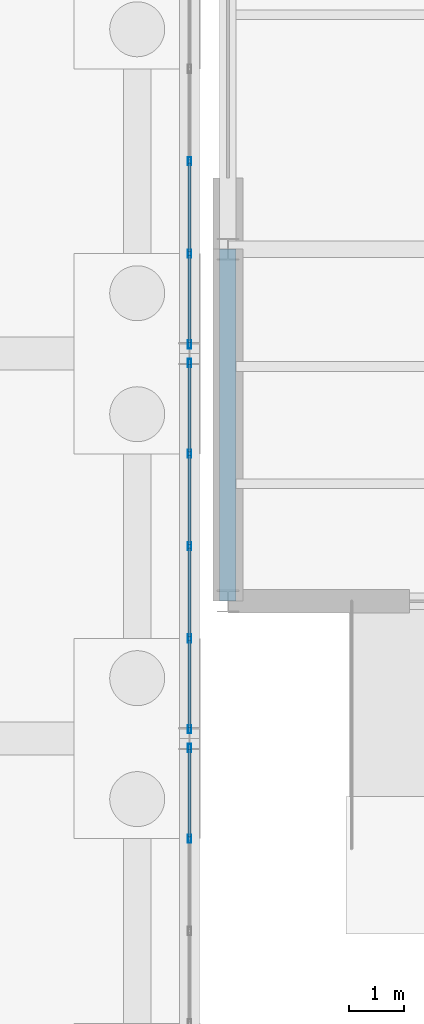
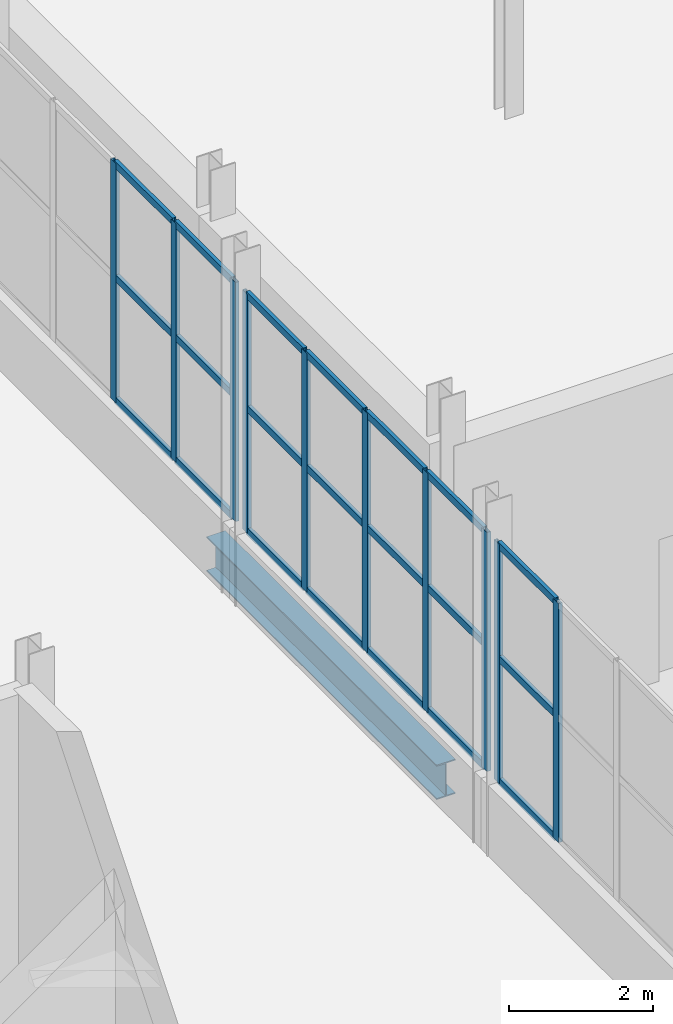
# One storey, part 57 of 139: 31 members, 1 beam, 3 elements without a shape of their own.
"""IFC4 building model written with IfcOpenShell, lengths in metres."""

from ifc_helpers import new_model, si_unit, direction, frame, origin, origin_2d, place, context, subcontext, project, spatial, hollow_rectangle, i_section, extrude, material, material_profile, profile_set, type_object, element, aggregate, save


model = new_model("IFC4")

# Units and contexts
model_context = context("Model", 3, precision=1e-05, world=origin(), true_north=direction((0.0, 1.0)))
body_context = subcontext(model_context, "Body", "Model", "MODEL_VIEW")
ifc_project = project(units=[si_unit("LENGTHUNIT", "METRE"), si_unit("AREAUNIT", "SQUARE_METRE"), si_unit("VOLUMEUNIT", "CUBIC_METRE"), si_unit("PLANEANGLEUNIT", "RADIAN"), si_unit("MASSUNIT", "GRAM", prefix="KILO")], contexts=[model_context])

# Site, building, storey
site_placement = place(None, origin())
site = spatial("IfcSite", under=ifc_project, at=site_placement, CompositionType="ELEMENT")
building_placement = place(site_placement, origin())
building = spatial("IfcBuilding", under=site, at=building_placement, Name="Kazenagashi Tramway Depot", CompositionType="ELEMENT")
storey_placement = place(building_placement, origin())
storey = spatial("IfcBuildingStorey", under=building, at=storey_placement, Name="L01", CompositionType="ELEMENT", Elevation=0.0)

# Curtain wall, members
ifc_material_1 = material(Name="Anodised Aluminium and Low-E Glazing", Category="aluminium")
curtain_wall_type = type_object("IfcCurtainWallType", Name="CW-33", PredefinedType="USERDEFINED", material=ifc_material_1)
curtain_wall_1_placement = place(storey_placement, origin())
curtain_wall_1 = element("IfcCurtainWall", 1, at=curtain_wall_1_placement, inside=storey, type_object=curtain_wall_type, Name="Industrial Glazed Screen CW-33 CW-0182", ObjectType="GLAZED SCREEN", PredefinedType="USERDEFINED")
ifc_material_2 = material(Name="Anodised Aluminium", Category="aluminium")
ifc_material_profile_1 = material_profile(ifc_material_2, hollow_rectangle(XDim=0.06, YDim=0.15, WallThickness=0.004, at=origin_2d()), Name="RHS-150x60x4")
ifc_profile_set_1 = profile_set([ifc_material_profile_1], Name="Anodised Aluminium")
member_type_1 = type_object("IfcMemberType", Name="ML-01", PredefinedType="MULLION", material=ifc_profile_set_1)
member_1_placement = place(storey_placement, frame((44.1, 12.18, 1.2), z_axis=(0.0, 0.0, 1.0), x_axis=(-1.0, 0.0, 0.0)))
member_1 = element("IfcMember", 2, at=member_1_placement, type_object=member_type_1, Name="CW-33 mullion 4", PredefinedType="MULLION", context=body_context, shape_type="SweptSolid", body=[
    extrude(hollow_rectangle(XDim=0.06, YDim=0.15, WallThickness=0.004, at=origin_2d()), origin(), (0.0, 0.0, 1.0), 4.062),
])
member_2_placement = place(storey_placement, frame((44.1, 13.83, 1.2), z_axis=(0.0, 0.0, 1.0), x_axis=(-1.0, 0.0, 0.0)))
member_2 = element("IfcMember", 3, at=member_2_placement, type_object=member_type_1, Name="CW-33 mullion 5", PredefinedType="MULLION", context=body_context, shape_type="SweptSolid", body=[
    extrude(hollow_rectangle(XDim=0.06, YDim=0.15, WallThickness=0.004, at=origin_2d()), origin(), (0.0, 0.0, 1.0), 4.062),
])

curtain_wall_2_placement = place(storey_placement, origin())
curtain_wall_2 = element("IfcCurtainWall", 4, at=curtain_wall_2_placement, inside=storey, type_object=curtain_wall_type, Name="Industrial Glazed Screen CW-33 CW-0184", ObjectType="GLAZED SCREEN", PredefinedType="USERDEFINED")
member_3_placement = place(storey_placement, frame((44.1, 14.17, 1.2), z_axis=(0.0, 0.0, 1.0), x_axis=(-1.0, 0.0, 0.0)))
member_3 = element("IfcMember", 5, at=member_3_placement, type_object=member_type_1, Name="CW-33 mullion 1", PredefinedType="MULLION", context=body_context, shape_type="SweptSolid", body=[
    extrude(hollow_rectangle(XDim=0.06, YDim=0.15, WallThickness=0.004, at=origin_2d()), origin(), (0.0, 0.0, 1.0), 4.062),
])
member_4_placement = place(storey_placement, frame((44.1, 15.82, 1.2), z_axis=(0.0, 0.0, 1.0), x_axis=(-1.0, 0.0, 0.0)))
member_4 = element("IfcMember", 6, at=member_4_placement, type_object=member_type_1, Name="CW-33 mullion 2", PredefinedType="MULLION", context=body_context, shape_type="SweptSolid", body=[
    extrude(hollow_rectangle(XDim=0.06, YDim=0.15, WallThickness=0.004, at=origin_2d()), origin(), (0.0, 0.0, 1.0), 4.062),
])
member_5_placement = place(storey_placement, frame((44.1, 17.5, 1.2), z_axis=(0.0, 0.0, 1.0), x_axis=(-1.0, 0.0, 0.0)))
member_5 = element("IfcMember", 7, at=member_5_placement, type_object=member_type_1, Name="CW-33 mullion 3", PredefinedType="MULLION", context=body_context, shape_type="SweptSolid", body=[
    extrude(hollow_rectangle(XDim=0.06, YDim=0.15, WallThickness=0.004, at=origin_2d()), origin(), (0.0, 0.0, 1.0), 4.062),
])
member_6_placement = place(storey_placement, frame((44.1, 19.18, 1.2), z_axis=(0.0, 0.0, 1.0), x_axis=(-1.0, 0.0, 0.0)))
member_6 = element("IfcMember", 8, at=member_6_placement, type_object=member_type_1, Name="CW-33 mullion 4", PredefinedType="MULLION", context=body_context, shape_type="SweptSolid", body=[
    extrude(hollow_rectangle(XDim=0.06, YDim=0.15, WallThickness=0.004, at=origin_2d()), origin(), (0.0, 0.0, 1.0), 4.062),
])
member_7_placement = place(storey_placement, frame((44.1, 20.83, 1.2), z_axis=(0.0, 0.0, 1.0), x_axis=(-1.0, 0.0, 0.0)))
member_7 = element("IfcMember", 9, at=member_7_placement, type_object=member_type_1, Name="CW-33 mullion 5", PredefinedType="MULLION", context=body_context, shape_type="SweptSolid", body=[
    extrude(hollow_rectangle(XDim=0.06, YDim=0.15, WallThickness=0.004, at=origin_2d()), origin(), (0.0, 0.0, 1.0), 4.062),
])

curtain_wall_3_placement = place(storey_placement, origin())
curtain_wall_3 = element("IfcCurtainWall", 10, at=curtain_wall_3_placement, inside=storey, type_object=curtain_wall_type, Name="Industrial Glazed Screen CW-33 CW-0185", ObjectType="GLAZED SCREEN", PredefinedType="USERDEFINED")
member_8_placement = place(storey_placement, frame((44.1, 21.17, 1.2), z_axis=(0.0, 0.0, 1.0), x_axis=(-1.0, 0.0, 0.0)))
member_8 = element("IfcMember", 11, at=member_8_placement, type_object=member_type_1, Name="CW-33 mullion 1", PredefinedType="MULLION", context=body_context, shape_type="SweptSolid", body=[
    extrude(hollow_rectangle(XDim=0.06, YDim=0.15, WallThickness=0.004, at=origin_2d()), origin(), (0.0, 0.0, 1.0), 4.062),
])
member_9_placement = place(storey_placement, frame((44.1, 22.82, 1.2), z_axis=(0.0, 0.0, 1.0), x_axis=(-1.0, 0.0, 0.0)))
member_9 = element("IfcMember", 12, at=member_9_placement, type_object=member_type_1, Name="CW-33 mullion 2", PredefinedType="MULLION", context=body_context, shape_type="SweptSolid", body=[
    extrude(hollow_rectangle(XDim=0.06, YDim=0.15, WallThickness=0.004, at=origin_2d()), origin(), (0.0, 0.0, 1.0), 4.062),
])
member_10_placement = place(storey_placement, frame((44.1, 24.5, 1.2), z_axis=(0.0, 0.0, 1.0), x_axis=(-1.0, 0.0, 0.0)))
member_10 = element("IfcMember", 13, at=member_10_placement, type_object=member_type_1, Name="CW-33 mullion 3", PredefinedType="MULLION", context=body_context, shape_type="SweptSolid", body=[
    extrude(hollow_rectangle(XDim=0.06, YDim=0.15, WallThickness=0.004, at=origin_2d()), origin(), (0.0, 0.0, 1.0), 4.062),
])

# Beam
ifc_material_3 = material(Name="Steel SN490B", Category="steel")
ifc_material_profile_2 = material_profile(ifc_material_3, i_section(OverallWidth=0.3, OverallDepth=0.588, WebThickness=0.012, FlangeThickness=0.02, at=origin_2d()), Name="H-588x300x12x20")
ifc_profile_set_2 = profile_set([ifc_material_profile_2], Name="Steel SN490B")
beam_type = type_object("IfcBeamType", Name="SP-01", PredefinedType="SPANDREL", material=ifc_profile_set_2)
beam_placement = place(storey_placement, frame((44.8, 16.5, -0.644), z_axis=(0.0, 1.0, 0.0), x_axis=(-1.0, 0.0, 0.0)))
element("IfcBeam", 14, at=beam_placement, inside=storey, type_object=beam_type, Name="Beam SP-01 BM-0801", PredefinedType="SPANDREL", context=body_context, shape_type="SweptSolid", body=[
    extrude(i_section(OverallWidth=0.3, OverallDepth=0.588, WebThickness=0.012, FlangeThickness=0.02, at=origin_2d()), origin(), (0.0, 0.0, 1.0), 6.4),
])

# Member
ifc_material_profile_3 = material_profile(ifc_material_2, hollow_rectangle(XDim=0.06, YDim=0.12, WallThickness=0.004, at=origin_2d()), Name="RHS-120x60x4")
ifc_profile_set_3 = profile_set([ifc_material_profile_3], Name="Anodised Aluminium")
member_type_2 = type_object("IfcMemberType", Name="TR-01", PredefinedType="USERDEFINED", material=ifc_profile_set_3)
member_11_placement = place(storey_placement, frame((44.1, 12.21, 1.23), z_axis=(0.0, 1.0, 0.0), x_axis=(-1.0, 0.0, 0.0)))
member_11 = element("IfcMember", 15, at=member_11_placement, type_object=member_type_2, Name="CW-33 transom 4.1", ObjectType="TRANSOM", PredefinedType="USERDEFINED", context=body_context, shape_type="SweptSolid", body=[
    extrude(hollow_rectangle(XDim=0.06, YDim=0.12, WallThickness=0.004, at=origin_2d()), origin(), (0.0, 0.0, 1.0), 1.59),
])

member_12_placement = place(storey_placement, frame((44.1, 12.21, 3.312), z_axis=(0.0, 1.0, 0.0), x_axis=(-1.0, 0.0, 0.0)))
member_12 = element("IfcMember", 16, at=member_12_placement, type_object=member_type_2, Name="CW-33 transom 4.2", ObjectType="TRANSOM", PredefinedType="USERDEFINED", context=body_context, shape_type="SweptSolid", body=[
    extrude(hollow_rectangle(XDim=0.06, YDim=0.12, WallThickness=0.004, at=origin_2d()), origin(), (0.0, 0.0, 1.0), 1.59),
])

member_13_placement = place(storey_placement, frame((44.1, 12.21, 5.232), z_axis=(0.0, 1.0, 0.0), x_axis=(-1.0, 0.0, 0.0)))
member_13 = element("IfcMember", 17, at=member_13_placement, type_object=member_type_2, Name="CW-33 transom 4.3", ObjectType="TRANSOM", PredefinedType="USERDEFINED", context=body_context, shape_type="SweptSolid", body=[
    extrude(hollow_rectangle(XDim=0.06, YDim=0.12, WallThickness=0.004, at=origin_2d()), origin(), (0.0, 0.0, 1.0), 1.59),
])

aggregate(curtain_wall_1, [member_1, member_2, member_11, member_12, member_13])

member_14_placement = place(storey_placement, frame((44.1, 14.2, 1.23), z_axis=(0.0, 1.0, 0.0), x_axis=(-1.0, 0.0, 0.0)))
member_14 = element("IfcMember", 18, at=member_14_placement, type_object=member_type_2, Name="CW-33 transom 1.1", ObjectType="TRANSOM", PredefinedType="USERDEFINED", context=body_context, shape_type="SweptSolid", body=[
    extrude(hollow_rectangle(XDim=0.06, YDim=0.12, WallThickness=0.004, at=origin_2d()), origin(), (0.0, 0.0, 1.0), 1.59),
])

member_15_placement = place(storey_placement, frame((44.1, 14.2, 3.312), z_axis=(0.0, 1.0, 0.0), x_axis=(-1.0, 0.0, 0.0)))
member_15 = element("IfcMember", 19, at=member_15_placement, type_object=member_type_2, Name="CW-33 transom 1.2", ObjectType="TRANSOM", PredefinedType="USERDEFINED", context=body_context, shape_type="SweptSolid", body=[
    extrude(hollow_rectangle(XDim=0.06, YDim=0.12, WallThickness=0.004, at=origin_2d()), origin(), (0.0, 0.0, 1.0), 1.59),
])

member_16_placement = place(storey_placement, frame((44.1, 14.2, 5.232), z_axis=(0.0, 1.0, 0.0), x_axis=(-1.0, 0.0, 0.0)))
member_16 = element("IfcMember", 20, at=member_16_placement, type_object=member_type_2, Name="CW-33 transom 1.3", ObjectType="TRANSOM", PredefinedType="USERDEFINED", context=body_context, shape_type="SweptSolid", body=[
    extrude(hollow_rectangle(XDim=0.06, YDim=0.12, WallThickness=0.004, at=origin_2d()), origin(), (0.0, 0.0, 1.0), 1.59),
])

member_17_placement = place(storey_placement, frame((44.1, 15.85, 1.23), z_axis=(0.0, 1.0, 0.0), x_axis=(-1.0, 0.0, 0.0)))
member_17 = element("IfcMember", 21, at=member_17_placement, type_object=member_type_2, Name="CW-33 transom 2.1", ObjectType="TRANSOM", PredefinedType="USERDEFINED", context=body_context, shape_type="SweptSolid", body=[
    extrude(hollow_rectangle(XDim=0.06, YDim=0.12, WallThickness=0.004, at=origin_2d()), origin(), (0.0, 0.0, 1.0), 1.62),
])

member_18_placement = place(storey_placement, frame((44.1, 15.85, 3.312), z_axis=(0.0, 1.0, 0.0), x_axis=(-1.0, 0.0, 0.0)))
member_18 = element("IfcMember", 22, at=member_18_placement, type_object=member_type_2, Name="CW-33 transom 2.2", ObjectType="TRANSOM", PredefinedType="USERDEFINED", context=body_context, shape_type="SweptSolid", body=[
    extrude(hollow_rectangle(XDim=0.06, YDim=0.12, WallThickness=0.004, at=origin_2d()), origin(), (0.0, 0.0, 1.0), 1.62),
])

member_19_placement = place(storey_placement, frame((44.1, 15.85, 5.232), z_axis=(0.0, 1.0, 0.0), x_axis=(-1.0, 0.0, 0.0)))
member_19 = element("IfcMember", 23, at=member_19_placement, type_object=member_type_2, Name="CW-33 transom 2.3", ObjectType="TRANSOM", PredefinedType="USERDEFINED", context=body_context, shape_type="SweptSolid", body=[
    extrude(hollow_rectangle(XDim=0.06, YDim=0.12, WallThickness=0.004, at=origin_2d()), origin(), (0.0, 0.0, 1.0), 1.62),
])

member_20_placement = place(storey_placement, frame((44.1, 17.53, 1.23), z_axis=(0.0, 1.0, 0.0), x_axis=(-1.0, 0.0, 0.0)))
member_20 = element("IfcMember", 24, at=member_20_placement, type_object=member_type_2, Name="CW-33 transom 3.1", ObjectType="TRANSOM", PredefinedType="USERDEFINED", context=body_context, shape_type="SweptSolid", body=[
    extrude(hollow_rectangle(XDim=0.06, YDim=0.12, WallThickness=0.004, at=origin_2d()), origin(), (0.0, 0.0, 1.0), 1.62),
])

member_21_placement = place(storey_placement, frame((44.1, 17.53, 3.312), z_axis=(0.0, 1.0, 0.0), x_axis=(-1.0, 0.0, 0.0)))
member_21 = element("IfcMember", 25, at=member_21_placement, type_object=member_type_2, Name="CW-33 transom 3.2", ObjectType="TRANSOM", PredefinedType="USERDEFINED", context=body_context, shape_type="SweptSolid", body=[
    extrude(hollow_rectangle(XDim=0.06, YDim=0.12, WallThickness=0.004, at=origin_2d()), origin(), (0.0, 0.0, 1.0), 1.62),
])

member_22_placement = place(storey_placement, frame((44.1, 17.53, 5.232), z_axis=(0.0, 1.0, 0.0), x_axis=(-1.0, 0.0, 0.0)))
member_22 = element("IfcMember", 26, at=member_22_placement, type_object=member_type_2, Name="CW-33 transom 3.3", ObjectType="TRANSOM", PredefinedType="USERDEFINED", context=body_context, shape_type="SweptSolid", body=[
    extrude(hollow_rectangle(XDim=0.06, YDim=0.12, WallThickness=0.004, at=origin_2d()), origin(), (0.0, 0.0, 1.0), 1.62),
])

member_23_placement = place(storey_placement, frame((44.1, 19.21, 1.23), z_axis=(0.0, 1.0, 0.0), x_axis=(-1.0, 0.0, 0.0)))
member_23 = element("IfcMember", 27, at=member_23_placement, type_object=member_type_2, Name="CW-33 transom 4.1", ObjectType="TRANSOM", PredefinedType="USERDEFINED", context=body_context, shape_type="SweptSolid", body=[
    extrude(hollow_rectangle(XDim=0.06, YDim=0.12, WallThickness=0.004, at=origin_2d()), origin(), (0.0, 0.0, 1.0), 1.59),
])

member_24_placement = place(storey_placement, frame((44.1, 19.21, 3.312), z_axis=(0.0, 1.0, 0.0), x_axis=(-1.0, 0.0, 0.0)))
member_24 = element("IfcMember", 28, at=member_24_placement, type_object=member_type_2, Name="CW-33 transom 4.2", ObjectType="TRANSOM", PredefinedType="USERDEFINED", context=body_context, shape_type="SweptSolid", body=[
    extrude(hollow_rectangle(XDim=0.06, YDim=0.12, WallThickness=0.004, at=origin_2d()), origin(), (0.0, 0.0, 1.0), 1.59),
])

member_25_placement = place(storey_placement, frame((44.1, 19.21, 5.232), z_axis=(0.0, 1.0, 0.0), x_axis=(-1.0, 0.0, 0.0)))
member_25 = element("IfcMember", 29, at=member_25_placement, type_object=member_type_2, Name="CW-33 transom 4.3", ObjectType="TRANSOM", PredefinedType="USERDEFINED", context=body_context, shape_type="SweptSolid", body=[
    extrude(hollow_rectangle(XDim=0.06, YDim=0.12, WallThickness=0.004, at=origin_2d()), origin(), (0.0, 0.0, 1.0), 1.59),
])

aggregate(curtain_wall_2, [member_3, member_4, member_5, member_6, member_7, member_14, member_15, member_16, member_17, member_18, member_19, member_20, member_21, member_22, member_23, member_24, member_25])

member_26_placement = place(storey_placement, frame((44.1, 21.2, 1.23), z_axis=(0.0, 1.0, 0.0), x_axis=(-1.0, 0.0, 0.0)))
member_26 = element("IfcMember", 30, at=member_26_placement, type_object=member_type_2, Name="CW-33 transom 1.1", ObjectType="TRANSOM", PredefinedType="USERDEFINED", context=body_context, shape_type="SweptSolid", body=[
    extrude(hollow_rectangle(XDim=0.06, YDim=0.12, WallThickness=0.004, at=origin_2d()), origin(), (0.0, 0.0, 1.0), 1.59),
])

member_27_placement = place(storey_placement, frame((44.1, 21.2, 3.312), z_axis=(0.0, 1.0, 0.0), x_axis=(-1.0, 0.0, 0.0)))
member_27 = element("IfcMember", 31, at=member_27_placement, type_object=member_type_2, Name="CW-33 transom 1.2", ObjectType="TRANSOM", PredefinedType="USERDEFINED", context=body_context, shape_type="SweptSolid", body=[
    extrude(hollow_rectangle(XDim=0.06, YDim=0.12, WallThickness=0.004, at=origin_2d()), origin(), (0.0, 0.0, 1.0), 1.59),
])

member_28_placement = place(storey_placement, frame((44.1, 21.2, 5.232), z_axis=(0.0, 1.0, 0.0), x_axis=(-1.0, 0.0, 0.0)))
member_28 = element("IfcMember", 32, at=member_28_placement, type_object=member_type_2, Name="CW-33 transom 1.3", ObjectType="TRANSOM", PredefinedType="USERDEFINED", context=body_context, shape_type="SweptSolid", body=[
    extrude(hollow_rectangle(XDim=0.06, YDim=0.12, WallThickness=0.004, at=origin_2d()), origin(), (0.0, 0.0, 1.0), 1.59),
])

member_29_placement = place(storey_placement, frame((44.1, 22.85, 1.23), z_axis=(0.0, 1.0, 0.0), x_axis=(-1.0, 0.0, 0.0)))
member_29 = element("IfcMember", 33, at=member_29_placement, type_object=member_type_2, Name="CW-33 transom 2.1", ObjectType="TRANSOM", PredefinedType="USERDEFINED", context=body_context, shape_type="SweptSolid", body=[
    extrude(hollow_rectangle(XDim=0.06, YDim=0.12, WallThickness=0.004, at=origin_2d()), origin(), (0.0, 0.0, 1.0), 1.62),
])

member_30_placement = place(storey_placement, frame((44.1, 22.85, 3.312), z_axis=(0.0, 1.0, 0.0), x_axis=(-1.0, 0.0, 0.0)))
member_30 = element("IfcMember", 34, at=member_30_placement, type_object=member_type_2, Name="CW-33 transom 2.2", ObjectType="TRANSOM", PredefinedType="USERDEFINED", context=body_context, shape_type="SweptSolid", body=[
    extrude(hollow_rectangle(XDim=0.06, YDim=0.12, WallThickness=0.004, at=origin_2d()), origin(), (0.0, 0.0, 1.0), 1.62),
])

member_31_placement = place(storey_placement, frame((44.1, 22.85, 5.232), z_axis=(0.0, 1.0, 0.0), x_axis=(-1.0, 0.0, 0.0)))
member_31 = element("IfcMember", 35, at=member_31_placement, type_object=member_type_2, Name="CW-33 transom 2.3", ObjectType="TRANSOM", PredefinedType="USERDEFINED", context=body_context, shape_type="SweptSolid", body=[
    extrude(hollow_rectangle(XDim=0.06, YDim=0.12, WallThickness=0.004, at=origin_2d()), origin(), (0.0, 0.0, 1.0), 1.62),
])

aggregate(curtain_wall_3, [member_8, member_9, member_10, member_26, member_27, member_28, member_29, member_30, member_31])

save(model, "model.ifc")
